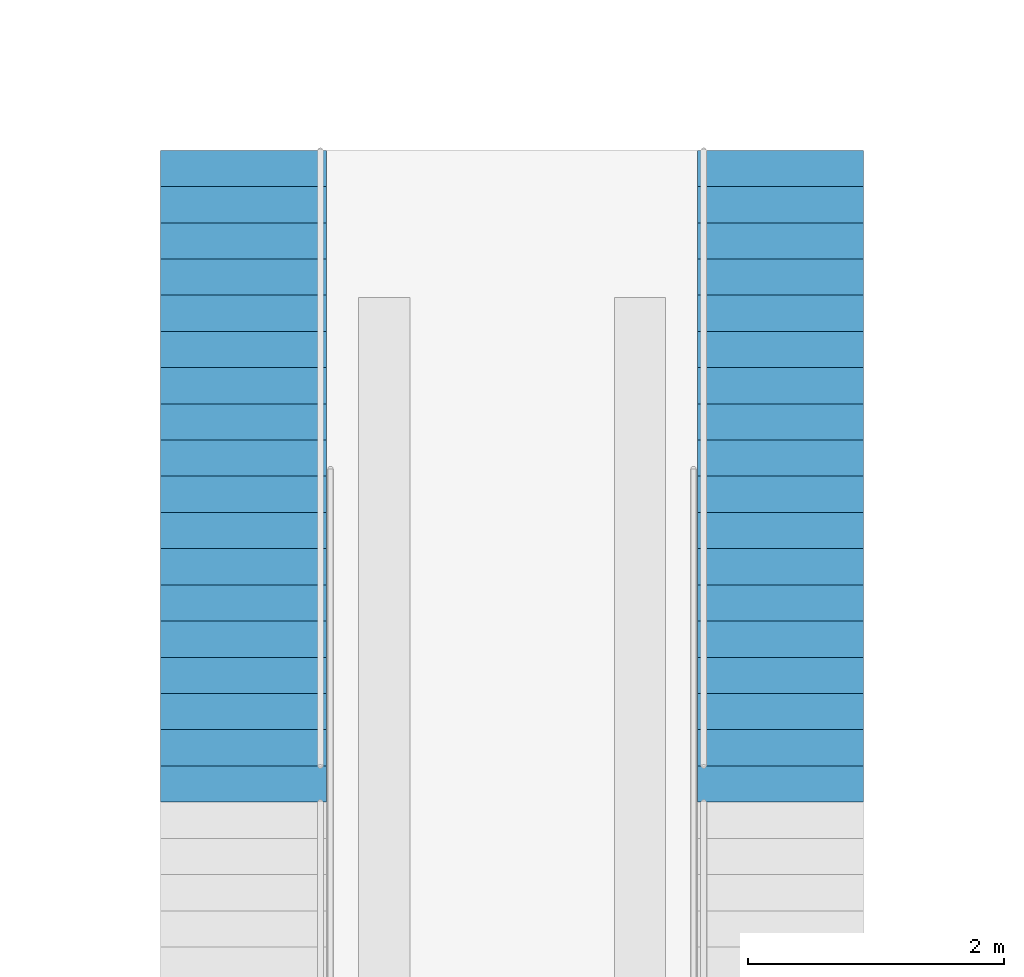
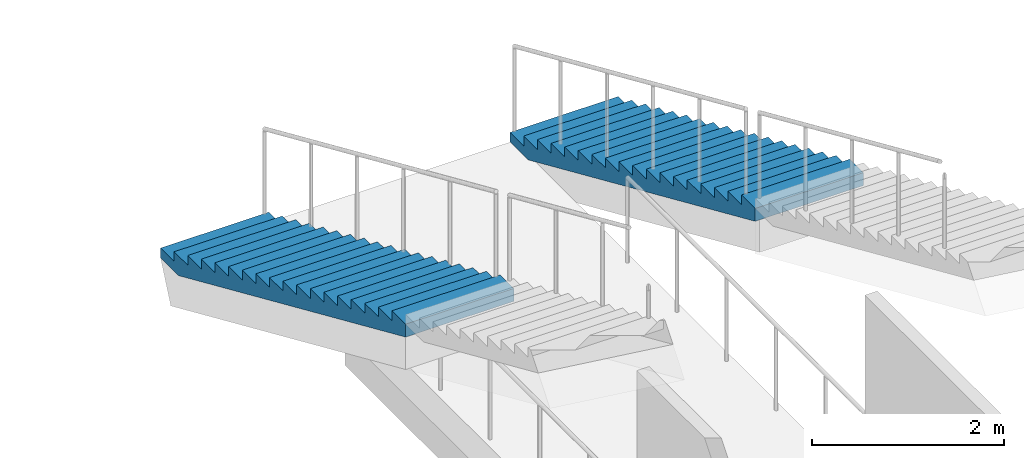
# One storey, part 74 of 175: 2 stair flights, 2 elements without a shape of their own.
"""IFC4 building model written with IfcOpenShell, lengths in metres."""

from ifc_helpers import new_model, si_unit, direction, frame, origin, place, context, subcontext, project, spatial, faceted_brep, material, type_object, element, aggregate, save


model = new_model("IFC4")

# Units and contexts
model_context = context("Model", 3, precision=1e-05, world=origin(), true_north=direction((0.0, 1.0)))
body_context = subcontext(model_context, "Body", "Model", "MODEL_VIEW")
ifc_project = project(units=[si_unit("LENGTHUNIT", "METRE"), si_unit("AREAUNIT", "SQUARE_METRE"), si_unit("VOLUMEUNIT", "CUBIC_METRE"), si_unit("PLANEANGLEUNIT", "RADIAN"), si_unit("MASSUNIT", "GRAM", prefix="KILO")], contexts=[model_context])

# Site, building, storey
site_placement = place(None, origin())
site = spatial("IfcSite", under=ifc_project, at=site_placement, CompositionType="ELEMENT")
building_placement = place(site_placement, origin())
building = spatial("IfcBuilding", under=site, at=building_placement, Name="Ogive Plaza Stadium", CompositionType="ELEMENT")
storey_placement = place(building_placement, origin())
storey = spatial("IfcBuildingStorey", under=building, at=storey_placement, Name="L00", CompositionType="ELEMENT", Elevation=0.0)

# Stair, stair flight
ifc_material_1 = material(Name="Concrete C40/50", Category="concrete")
stair_type = type_object("IfcStairType", Name="Aisle stair", PredefinedType="STRAIGHT_RUN_STAIR", material=ifc_material_1)
stair_1_placement = place(storey_placement, origin())
stair_1 = element("IfcStair", 1, at=stair_1_placement, inside=storey, type_object=stair_type, Name="Aisle stair SA13L", PredefinedType="STRAIGHT_RUN_STAIR")
ifc_material_2 = material(Name="Concrete C40/50", Category="concrete")
stair_flight_type = type_object("IfcStairFlightType", Name="Aisle stair flight", PredefinedType="STRAIGHT", material=ifc_material_2)
stair_flight_1_placement = place(storey_placement, frame((11.5, -67.64990234375, 0.0), z_axis=(0.0, 0.0, 1.0), x_axis=(0.0, -1.0, 0.0)))
stair_flight_1 = element("IfcStairFlight", 2, at=stair_flight_1_placement, type_object=stair_flight_type, Name="SA13L flight 1", NumberOfRisers=18, NumberOfTreads=17, PredefinedType="STRAIGHT", RiserHeight=0.125, TreadLength=0.283333333, context=body_context, shape_type="Brep", body=[
    faceted_brep([(0.371337890625, -0.64990234375, 0.0), (5.10009765625, -0.64990234375, 2.086181640625), (5.10009765625, -0.64990234375, 2.25), (4.816650390625, -0.64990234375, 2.25), (4.816650390625, -0.64990234375, 2.125), (4.533447265625, -0.64990234375, 2.125), (4.533447265625, -0.64990234375, 2.0), (4.25, -0.64990234375, 2.0), (4.25, -0.64990234375, 1.875), (3.966552734375, -0.64990234375, 1.875), (3.966552734375, -0.64990234375, 1.75), (3.683349609375, -0.64990234375, 1.75), (3.683349609375, -0.64990234375, 1.625), (3.39990234375, -0.64990234375, 1.625), (3.39990234375, -0.64990234375, 1.5), (3.11669921875, -0.64990234375, 1.5), (3.11669921875, -0.64990234375, 1.375), (2.833251953125, -0.64990234375, 1.375), (2.833251953125, -0.64990234375, 1.25), (2.550048828125, -0.64990234375, 1.25), (2.550048828125, -0.64990234375, 1.125), (2.2666015625, -0.64990234375, 1.125), (2.2666015625, -0.64990234375, 1.0), (1.9833984375, -0.64990234375, 1.0), (1.9833984375, -0.64990234375, 0.875), (1.699951171875, -0.64990234375, 0.875), (1.699951171875, -0.64990234375, 0.75), (1.416748046875, -0.64990234375, 0.75), (1.416748046875, -0.64990234375, 0.625), (1.13330078125, -0.64990234375, 0.625), (1.13330078125, -0.64990234375, 0.5), (0.85009765625, -0.64990234375, 0.5), (0.85009765625, -0.64990234375, 0.375), (0.566650390625, -0.64990234375, 0.375), (0.566650390625, -0.64990234375, 0.25), (0.283447265625, -0.64990234375, 0.25), (0.283447265625, -0.64990234375, 0.125), (0.0, -0.64990234375, 0.125), (0.0, -0.64990234375, 0.0), (0.0, 0.64990234375, 0.0), (0.0, 0.64990234375, 0.125), (0.283447265625, 0.64990234375, 0.125), (0.283447265625, 0.64990234375, 0.25), (0.566650390625, 0.64990234375, 0.25), (0.566650390625, 0.64990234375, 0.375), (0.85009765625, 0.64990234375, 0.375), (0.85009765625, 0.64990234375, 0.5), (1.13330078125, 0.64990234375, 0.5), (1.13330078125, 0.64990234375, 0.625), (1.416748046875, 0.64990234375, 0.625), (1.416748046875, 0.64990234375, 0.75), (1.699951171875, 0.64990234375, 0.75), (1.699951171875, 0.64990234375, 0.875), (1.9833984375, 0.64990234375, 0.875), (1.9833984375, 0.64990234375, 1.0), (2.2666015625, 0.64990234375, 1.0), (2.2666015625, 0.64990234375, 1.125), (2.550048828125, 0.64990234375, 1.125), (2.550048828125, 0.64990234375, 1.25), (2.833251953125, 0.64990234375, 1.25), (2.833251953125, 0.64990234375, 1.375), (3.11669921875, 0.64990234375, 1.375), (3.11669921875, 0.64990234375, 1.5), (3.39990234375, 0.64990234375, 1.5), (3.39990234375, 0.64990234375, 1.625), (3.683349609375, 0.64990234375, 1.625), (3.683349609375, 0.64990234375, 1.75), (3.966552734375, 0.64990234375, 1.75), (3.966552734375, 0.64990234375, 1.875), (4.25, 0.64990234375, 1.875), (4.25, 0.64990234375, 2.0), (4.533447265625, 0.64990234375, 2.0), (4.533447265625, 0.64990234375, 2.125), (4.816650390625, 0.64990234375, 2.125), (4.816650390625, 0.64990234375, 2.25), (5.10009765625, 0.64990234375, 2.25), (5.10009765625, 0.64990234375, 2.086181640625), (0.371337890625, 0.64990234375, 0.0), (0.371337890625, -0.324951171875, 0.0), (5.10009765625, -0.324951171875, 2.086181640625), (0.371337890625, 0.0, 0.0), (5.10009765625, 0.0, 2.086181640625), (0.371337890625, 0.324951171875, 0.0), (5.10009765625, 0.324951171875, 2.086181640625), (5.10009765625, -0.324951171875, 2.25), (5.10009765625, 0.0, 2.25), (5.10009765625, 0.324951171875, 2.25), (4.816650390625, -0.324951171875, 2.25), (4.816650390625, 0.0, 2.25), (4.816650390625, 0.324951171875, 2.25), (4.816650390625, -0.324951171875, 2.125), (4.816650390625, 0.0, 2.125), (4.816650390625, 0.324951171875, 2.125), (4.533447265625, -0.324951171875, 2.125), (4.533447265625, 0.0, 2.125), (4.533447265625, 0.324951171875, 2.125), (4.533447265625, -0.324951171875, 2.0), (4.533447265625, 0.0, 2.0), (4.533447265625, 0.324951171875, 2.0), (4.25, -0.324951171875, 2.0), (4.25, 0.0, 2.0), (4.25, 0.324951171875, 2.0), (4.25, -0.324951171875, 1.875), (4.25, 0.0, 1.875), (4.25, 0.324951171875, 1.875), (3.966552734375, -0.324951171875, 1.875), (3.966552734375, 0.0, 1.875), (3.966552734375, 0.324951171875, 1.875), (3.966552734375, -0.324951171875, 1.75), (3.966552734375, 0.0, 1.75), (3.966552734375, 0.324951171875, 1.75), (3.683349609375, -0.324951171875, 1.75), (3.683349609375, 0.0, 1.75), (3.683349609375, 0.324951171875, 1.75), (3.683349609375, -0.324951171875, 1.625), (3.683349609375, 0.0, 1.625), (3.683349609375, 0.324951171875, 1.625), (3.39990234375, -0.324951171875, 1.625), (3.39990234375, 0.0, 1.625), (3.39990234375, 0.324951171875, 1.625), (3.39990234375, -0.324951171875, 1.5), (3.39990234375, 0.0, 1.5), (3.39990234375, 0.324951171875, 1.5), (3.11669921875, -0.324951171875, 1.5), (3.11669921875, 0.0, 1.5), (3.11669921875, 0.324951171875, 1.5), (3.11669921875, -0.324951171875, 1.375), (3.11669921875, 0.0, 1.375), (3.11669921875, 0.324951171875, 1.375), (2.833251953125, -0.324951171875, 1.375), (2.833251953125, 0.0, 1.375), (2.833251953125, 0.324951171875, 1.375), (2.833251953125, -0.324951171875, 1.25), (2.833251953125, 0.0, 1.25), (2.833251953125, 0.324951171875, 1.25), (2.550048828125, -0.324951171875, 1.25), (2.550048828125, 0.0, 1.25), (2.550048828125, 0.324951171875, 1.25), (2.550048828125, -0.324951171875, 1.125), (2.550048828125, 0.0, 1.125), (2.550048828125, 0.324951171875, 1.125), (2.2666015625, -0.324951171875, 1.125), (2.2666015625, 0.0, 1.125), (2.2666015625, 0.324951171875, 1.125), (2.2666015625, -0.324951171875, 1.0), (2.2666015625, 0.0, 1.0), (2.2666015625, 0.324951171875, 1.0), (1.9833984375, -0.324951171875, 1.0), (1.9833984375, 0.0, 1.0), (1.9833984375, 0.324951171875, 1.0), (1.9833984375, -0.324951171875, 0.875), (1.9833984375, 0.0, 0.875), (1.9833984375, 0.324951171875, 0.875), (1.699951171875, -0.324951171875, 0.875), (1.699951171875, 0.0, 0.875), (1.699951171875, 0.324951171875, 0.875), (1.699951171875, -0.324951171875, 0.75), (1.699951171875, 0.0, 0.75), (1.699951171875, 0.324951171875, 0.75), (1.416748046875, -0.324951171875, 0.75), (1.416748046875, 0.0, 0.75), (1.416748046875, 0.324951171875, 0.75), (1.416748046875, -0.324951171875, 0.625), (1.416748046875, 0.0, 0.625), (1.416748046875, 0.324951171875, 0.625), (1.13330078125, -0.324951171875, 0.625), (1.13330078125, 0.0, 0.625), (1.13330078125, 0.324951171875, 0.625), (1.13330078125, -0.324951171875, 0.5), (1.13330078125, 0.0, 0.5), (1.13330078125, 0.324951171875, 0.5), (0.85009765625, -0.324951171875, 0.5), (0.85009765625, 0.0, 0.5), (0.85009765625, 0.324951171875, 0.5), (0.85009765625, -0.324951171875, 0.375), (0.85009765625, 0.0, 0.375), (0.85009765625, 0.324951171875, 0.375), (0.566650390625, -0.324951171875, 0.375), (0.566650390625, 0.0, 0.375), (0.566650390625, 0.324951171875, 0.375), (0.566650390625, -0.324951171875, 0.25), (0.566650390625, 0.0, 0.25), (0.566650390625, 0.324951171875, 0.25), (0.283447265625, -0.324951171875, 0.25), (0.283447265625, 0.0, 0.25), (0.283447265625, 0.324951171875, 0.25), (0.283447265625, -0.324951171875, 0.125), (0.283447265625, 0.0, 0.125), (0.283447265625, 0.324951171875, 0.125), (0.0, -0.324951171875, 0.125), (0.0, 0.0, 0.125), (0.0, 0.324951171875, 0.125), (0.0, -0.324951171875, 0.0), (0.0, 0.0, 0.0), (0.0, 0.324951171875, 0.0)], [[[0, 1, 2, 3, 4, 5, 6, 7, 8, 9, 10, 11, 12, 13, 14, 15, 16, 17, 18, 19, 20, 21, 22, 23, 24, 25, 26, 27, 28, 29, 30, 31, 32, 33, 34, 35, 36, 37, 38]], [[39, 40, 41, 42, 43, 44, 45, 46, 47, 48, 49, 50, 51, 52, 53, 54, 55, 56, 57, 58, 59, 60, 61, 62, 63, 64, 65, 66, 67, 68, 69, 70, 71, 72, 73, 74, 75, 76, 77]], [[0, 78, 79, 1]], [[78, 80, 81, 79]], [[80, 82, 83, 81]], [[82, 77, 76, 83]], [[1, 79, 84, 2]], [[79, 81, 85, 84]], [[81, 83, 86, 85]], [[83, 76, 75, 86]], [[2, 84, 87, 3]], [[84, 85, 88, 87]], [[85, 86, 89, 88]], [[86, 75, 74, 89]], [[3, 87, 90, 4]], [[87, 88, 91, 90]], [[88, 89, 92, 91]], [[89, 74, 73, 92]], [[4, 90, 93, 5]], [[90, 91, 94, 93]], [[91, 92, 95, 94]], [[92, 73, 72, 95]], [[5, 93, 96, 6]], [[93, 94, 97, 96]], [[94, 95, 98, 97]], [[95, 72, 71, 98]], [[6, 96, 99, 7]], [[96, 97, 100, 99]], [[97, 98, 101, 100]], [[98, 71, 70, 101]], [[7, 99, 102, 8]], [[99, 100, 103, 102]], [[100, 101, 104, 103]], [[101, 70, 69, 104]], [[8, 102, 105, 9]], [[102, 103, 106, 105]], [[103, 104, 107, 106]], [[104, 69, 68, 107]], [[9, 105, 108, 10]], [[105, 106, 109, 108]], [[106, 107, 110, 109]], [[107, 68, 67, 110]], [[10, 108, 111, 11]], [[108, 109, 112, 111]], [[109, 110, 113, 112]], [[110, 67, 66, 113]], [[11, 111, 114, 12]], [[111, 112, 115, 114]], [[112, 113, 116, 115]], [[113, 66, 65, 116]], [[12, 114, 117, 13]], [[114, 115, 118, 117]], [[115, 116, 119, 118]], [[116, 65, 64, 119]], [[13, 117, 120, 14]], [[117, 118, 121, 120]], [[118, 119, 122, 121]], [[119, 64, 63, 122]], [[14, 120, 123, 15]], [[120, 121, 124, 123]], [[121, 122, 125, 124]], [[122, 63, 62, 125]], [[15, 123, 126, 16]], [[123, 124, 127, 126]], [[124, 125, 128, 127]], [[125, 62, 61, 128]], [[16, 126, 129, 17]], [[126, 127, 130, 129]], [[127, 128, 131, 130]], [[128, 61, 60, 131]], [[17, 129, 132, 18]], [[129, 130, 133, 132]], [[130, 131, 134, 133]], [[131, 60, 59, 134]], [[18, 132, 135, 19]], [[132, 133, 136, 135]], [[133, 134, 137, 136]], [[134, 59, 58, 137]], [[19, 135, 138, 20]], [[135, 136, 139, 138]], [[136, 137, 140, 139]], [[137, 58, 57, 140]], [[20, 138, 141, 21]], [[138, 139, 142, 141]], [[139, 140, 143, 142]], [[140, 57, 56, 143]], [[21, 141, 144, 22]], [[141, 142, 145, 144]], [[142, 143, 146, 145]], [[143, 56, 55, 146]], [[22, 144, 147, 23]], [[144, 145, 148, 147]], [[145, 146, 149, 148]], [[146, 55, 54, 149]], [[23, 147, 150, 24]], [[147, 148, 151, 150]], [[148, 149, 152, 151]], [[149, 54, 53, 152]], [[24, 150, 153, 25]], [[150, 151, 154, 153]], [[151, 152, 155, 154]], [[152, 53, 52, 155]], [[25, 153, 156, 26]], [[153, 154, 157, 156]], [[154, 155, 158, 157]], [[155, 52, 51, 158]], [[26, 156, 159, 27]], [[156, 157, 160, 159]], [[157, 158, 161, 160]], [[158, 51, 50, 161]], [[27, 159, 162, 28]], [[159, 160, 163, 162]], [[160, 161, 164, 163]], [[161, 50, 49, 164]], [[28, 162, 165, 29]], [[162, 163, 166, 165]], [[163, 164, 167, 166]], [[164, 49, 48, 167]], [[29, 165, 168, 30]], [[165, 166, 169, 168]], [[166, 167, 170, 169]], [[167, 48, 47, 170]], [[30, 168, 171, 31]], [[168, 169, 172, 171]], [[169, 170, 173, 172]], [[170, 47, 46, 173]], [[31, 171, 174, 32]], [[171, 172, 175, 174]], [[172, 173, 176, 175]], [[173, 46, 45, 176]], [[32, 174, 177, 33]], [[174, 175, 178, 177]], [[175, 176, 179, 178]], [[176, 45, 44, 179]], [[33, 177, 180, 34]], [[177, 178, 181, 180]], [[178, 179, 182, 181]], [[179, 44, 43, 182]], [[34, 180, 183, 35]], [[180, 181, 184, 183]], [[181, 182, 185, 184]], [[182, 43, 42, 185]], [[35, 183, 186, 36]], [[183, 184, 187, 186]], [[184, 185, 188, 187]], [[185, 42, 41, 188]], [[36, 186, 189, 37]], [[186, 187, 190, 189]], [[187, 188, 191, 190]], [[188, 41, 40, 191]], [[37, 189, 192, 38]], [[189, 190, 193, 192]], [[190, 191, 194, 193]], [[191, 40, 39, 194]], [[38, 192, 78, 0]], [[192, 193, 80, 78]], [[193, 194, 82, 80]], [[194, 39, 77, 82]]]),
])
aggregate(stair_1, [stair_flight_1])

stair_2_placement = place(storey_placement, origin())
stair_2 = element("IfcStair", 3, at=stair_2_placement, inside=storey, type_object=stair_type, Name="Aisle stair SA13R", PredefinedType="STRAIGHT_RUN_STAIR")
stair_flight_2_placement = place(storey_placement, frame((15.699951171875, -67.64990234375, 0.0), z_axis=(0.0, 0.0, 1.0), x_axis=(0.0, -1.0, 0.0)))
stair_flight_2 = element("IfcStairFlight", 4, at=stair_flight_2_placement, type_object=stair_flight_type, Name="SA13R flight 1", NumberOfRisers=18, NumberOfTreads=17, PredefinedType="STRAIGHT", RiserHeight=0.125, TreadLength=0.283333333, context=body_context, shape_type="Brep", body=[
    faceted_brep([(0.371337890625, -0.64990234375, 0.0), (5.10009765625, -0.64990234375, 2.086181640625), (5.10009765625, -0.64990234375, 2.25), (4.816650390625, -0.64990234375, 2.25), (4.816650390625, -0.64990234375, 2.125), (4.533447265625, -0.64990234375, 2.125), (4.533447265625, -0.64990234375, 2.0), (4.25, -0.64990234375, 2.0), (4.25, -0.64990234375, 1.875), (3.966552734375, -0.64990234375, 1.875), (3.966552734375, -0.64990234375, 1.75), (3.683349609375, -0.64990234375, 1.75), (3.683349609375, -0.64990234375, 1.625), (3.39990234375, -0.64990234375, 1.625), (3.39990234375, -0.64990234375, 1.5), (3.11669921875, -0.64990234375, 1.5), (3.11669921875, -0.64990234375, 1.375), (2.833251953125, -0.64990234375, 1.375), (2.833251953125, -0.64990234375, 1.25), (2.550048828125, -0.64990234375, 1.25), (2.550048828125, -0.64990234375, 1.125), (2.2666015625, -0.64990234375, 1.125), (2.2666015625, -0.64990234375, 1.0), (1.9833984375, -0.64990234375, 1.0), (1.9833984375, -0.64990234375, 0.875), (1.699951171875, -0.64990234375, 0.875), (1.699951171875, -0.64990234375, 0.75), (1.416748046875, -0.64990234375, 0.75), (1.416748046875, -0.64990234375, 0.625), (1.13330078125, -0.64990234375, 0.625), (1.13330078125, -0.64990234375, 0.5), (0.85009765625, -0.64990234375, 0.5), (0.85009765625, -0.64990234375, 0.375), (0.566650390625, -0.64990234375, 0.375), (0.566650390625, -0.64990234375, 0.25), (0.283447265625, -0.64990234375, 0.25), (0.283447265625, -0.64990234375, 0.125), (0.0, -0.64990234375, 0.125), (0.0, -0.64990234375, 0.0), (0.0, 0.64990234375, 0.0), (0.0, 0.64990234375, 0.125), (0.283447265625, 0.64990234375, 0.125), (0.283447265625, 0.64990234375, 0.25), (0.566650390625, 0.64990234375, 0.25), (0.566650390625, 0.64990234375, 0.375), (0.85009765625, 0.64990234375, 0.375), (0.85009765625, 0.64990234375, 0.5), (1.13330078125, 0.64990234375, 0.5), (1.13330078125, 0.64990234375, 0.625), (1.416748046875, 0.64990234375, 0.625), (1.416748046875, 0.64990234375, 0.75), (1.699951171875, 0.64990234375, 0.75), (1.699951171875, 0.64990234375, 0.875), (1.9833984375, 0.64990234375, 0.875), (1.9833984375, 0.64990234375, 1.0), (2.2666015625, 0.64990234375, 1.0), (2.2666015625, 0.64990234375, 1.125), (2.550048828125, 0.64990234375, 1.125), (2.550048828125, 0.64990234375, 1.25), (2.833251953125, 0.64990234375, 1.25), (2.833251953125, 0.64990234375, 1.375), (3.11669921875, 0.64990234375, 1.375), (3.11669921875, 0.64990234375, 1.5), (3.39990234375, 0.64990234375, 1.5), (3.39990234375, 0.64990234375, 1.625), (3.683349609375, 0.64990234375, 1.625), (3.683349609375, 0.64990234375, 1.75), (3.966552734375, 0.64990234375, 1.75), (3.966552734375, 0.64990234375, 1.875), (4.25, 0.64990234375, 1.875), (4.25, 0.64990234375, 2.0), (4.533447265625, 0.64990234375, 2.0), (4.533447265625, 0.64990234375, 2.125), (4.816650390625, 0.64990234375, 2.125), (4.816650390625, 0.64990234375, 2.25), (5.10009765625, 0.64990234375, 2.25), (5.10009765625, 0.64990234375, 2.086181640625), (0.371337890625, 0.64990234375, 0.0), (0.371337890625, -0.324951171875, 0.0), (5.10009765625, -0.324951171875, 2.086181640625), (0.371337890625, 0.0, 0.0), (5.10009765625, 0.0, 2.086181640625), (0.371337890625, 0.324951171875, 0.0), (5.10009765625, 0.324951171875, 2.086181640625), (5.10009765625, -0.324951171875, 2.25), (5.10009765625, 0.0, 2.25), (5.10009765625, 0.324951171875, 2.25), (4.816650390625, -0.324951171875, 2.25), (4.816650390625, 0.0, 2.25), (4.816650390625, 0.324951171875, 2.25), (4.816650390625, -0.324951171875, 2.125), (4.816650390625, 0.0, 2.125), (4.816650390625, 0.324951171875, 2.125), (4.533447265625, -0.324951171875, 2.125), (4.533447265625, 0.0, 2.125), (4.533447265625, 0.324951171875, 2.125), (4.533447265625, -0.324951171875, 2.0), (4.533447265625, 0.0, 2.0), (4.533447265625, 0.324951171875, 2.0), (4.25, -0.324951171875, 2.0), (4.25, 0.0, 2.0), (4.25, 0.324951171875, 2.0), (4.25, -0.324951171875, 1.875), (4.25, 0.0, 1.875), (4.25, 0.324951171875, 1.875), (3.966552734375, -0.324951171875, 1.875), (3.966552734375, 0.0, 1.875), (3.966552734375, 0.324951171875, 1.875), (3.966552734375, -0.324951171875, 1.75), (3.966552734375, 0.0, 1.75), (3.966552734375, 0.324951171875, 1.75), (3.683349609375, -0.324951171875, 1.75), (3.683349609375, 0.0, 1.75), (3.683349609375, 0.324951171875, 1.75), (3.683349609375, -0.324951171875, 1.625), (3.683349609375, 0.0, 1.625), (3.683349609375, 0.324951171875, 1.625), (3.39990234375, -0.324951171875, 1.625), (3.39990234375, 0.0, 1.625), (3.39990234375, 0.324951171875, 1.625), (3.39990234375, -0.324951171875, 1.5), (3.39990234375, 0.0, 1.5), (3.39990234375, 0.324951171875, 1.5), (3.11669921875, -0.324951171875, 1.5), (3.11669921875, 0.0, 1.5), (3.11669921875, 0.324951171875, 1.5), (3.11669921875, -0.324951171875, 1.375), (3.11669921875, 0.0, 1.375), (3.11669921875, 0.324951171875, 1.375), (2.833251953125, -0.324951171875, 1.375), (2.833251953125, 0.0, 1.375), (2.833251953125, 0.324951171875, 1.375), (2.833251953125, -0.324951171875, 1.25), (2.833251953125, 0.0, 1.25), (2.833251953125, 0.324951171875, 1.25), (2.550048828125, -0.324951171875, 1.25), (2.550048828125, 0.0, 1.25), (2.550048828125, 0.324951171875, 1.25), (2.550048828125, -0.324951171875, 1.125), (2.550048828125, 0.0, 1.125), (2.550048828125, 0.324951171875, 1.125), (2.2666015625, -0.324951171875, 1.125), (2.2666015625, 0.0, 1.125), (2.2666015625, 0.324951171875, 1.125), (2.2666015625, -0.324951171875, 1.0), (2.2666015625, 0.0, 1.0), (2.2666015625, 0.324951171875, 1.0), (1.9833984375, -0.324951171875, 1.0), (1.9833984375, 0.0, 1.0), (1.9833984375, 0.324951171875, 1.0), (1.9833984375, -0.324951171875, 0.875), (1.9833984375, 0.0, 0.875), (1.9833984375, 0.324951171875, 0.875), (1.699951171875, -0.324951171875, 0.875), (1.699951171875, 0.0, 0.875), (1.699951171875, 0.324951171875, 0.875), (1.699951171875, -0.324951171875, 0.75), (1.699951171875, 0.0, 0.75), (1.699951171875, 0.324951171875, 0.75), (1.416748046875, -0.324951171875, 0.75), (1.416748046875, 0.0, 0.75), (1.416748046875, 0.324951171875, 0.75), (1.416748046875, -0.324951171875, 0.625), (1.416748046875, 0.0, 0.625), (1.416748046875, 0.324951171875, 0.625), (1.13330078125, -0.324951171875, 0.625), (1.13330078125, 0.0, 0.625), (1.13330078125, 0.324951171875, 0.625), (1.13330078125, -0.324951171875, 0.5), (1.13330078125, 0.0, 0.5), (1.13330078125, 0.324951171875, 0.5), (0.85009765625, -0.324951171875, 0.5), (0.85009765625, 0.0, 0.5), (0.85009765625, 0.324951171875, 0.5), (0.85009765625, -0.324951171875, 0.375), (0.85009765625, 0.0, 0.375), (0.85009765625, 0.324951171875, 0.375), (0.566650390625, -0.324951171875, 0.375), (0.566650390625, 0.0, 0.375), (0.566650390625, 0.324951171875, 0.375), (0.566650390625, -0.324951171875, 0.25), (0.566650390625, 0.0, 0.25), (0.566650390625, 0.324951171875, 0.25), (0.283447265625, -0.324951171875, 0.25), (0.283447265625, 0.0, 0.25), (0.283447265625, 0.324951171875, 0.25), (0.283447265625, -0.324951171875, 0.125), (0.283447265625, 0.0, 0.125), (0.283447265625, 0.324951171875, 0.125), (0.0, -0.324951171875, 0.125), (0.0, 0.0, 0.125), (0.0, 0.324951171875, 0.125), (0.0, -0.324951171875, 0.0), (0.0, 0.0, 0.0), (0.0, 0.324951171875, 0.0)], [[[0, 1, 2, 3, 4, 5, 6, 7, 8, 9, 10, 11, 12, 13, 14, 15, 16, 17, 18, 19, 20, 21, 22, 23, 24, 25, 26, 27, 28, 29, 30, 31, 32, 33, 34, 35, 36, 37, 38]], [[39, 40, 41, 42, 43, 44, 45, 46, 47, 48, 49, 50, 51, 52, 53, 54, 55, 56, 57, 58, 59, 60, 61, 62, 63, 64, 65, 66, 67, 68, 69, 70, 71, 72, 73, 74, 75, 76, 77]], [[0, 78, 79, 1]], [[78, 80, 81, 79]], [[80, 82, 83, 81]], [[82, 77, 76, 83]], [[1, 79, 84, 2]], [[79, 81, 85, 84]], [[81, 83, 86, 85]], [[83, 76, 75, 86]], [[2, 84, 87, 3]], [[84, 85, 88, 87]], [[85, 86, 89, 88]], [[86, 75, 74, 89]], [[3, 87, 90, 4]], [[87, 88, 91, 90]], [[88, 89, 92, 91]], [[89, 74, 73, 92]], [[4, 90, 93, 5]], [[90, 91, 94, 93]], [[91, 92, 95, 94]], [[92, 73, 72, 95]], [[5, 93, 96, 6]], [[93, 94, 97, 96]], [[94, 95, 98, 97]], [[95, 72, 71, 98]], [[6, 96, 99, 7]], [[96, 97, 100, 99]], [[97, 98, 101, 100]], [[98, 71, 70, 101]], [[7, 99, 102, 8]], [[99, 100, 103, 102]], [[100, 101, 104, 103]], [[101, 70, 69, 104]], [[8, 102, 105, 9]], [[102, 103, 106, 105]], [[103, 104, 107, 106]], [[104, 69, 68, 107]], [[9, 105, 108, 10]], [[105, 106, 109, 108]], [[106, 107, 110, 109]], [[107, 68, 67, 110]], [[10, 108, 111, 11]], [[108, 109, 112, 111]], [[109, 110, 113, 112]], [[110, 67, 66, 113]], [[11, 111, 114, 12]], [[111, 112, 115, 114]], [[112, 113, 116, 115]], [[113, 66, 65, 116]], [[12, 114, 117, 13]], [[114, 115, 118, 117]], [[115, 116, 119, 118]], [[116, 65, 64, 119]], [[13, 117, 120, 14]], [[117, 118, 121, 120]], [[118, 119, 122, 121]], [[119, 64, 63, 122]], [[14, 120, 123, 15]], [[120, 121, 124, 123]], [[121, 122, 125, 124]], [[122, 63, 62, 125]], [[15, 123, 126, 16]], [[123, 124, 127, 126]], [[124, 125, 128, 127]], [[125, 62, 61, 128]], [[16, 126, 129, 17]], [[126, 127, 130, 129]], [[127, 128, 131, 130]], [[128, 61, 60, 131]], [[17, 129, 132, 18]], [[129, 130, 133, 132]], [[130, 131, 134, 133]], [[131, 60, 59, 134]], [[18, 132, 135, 19]], [[132, 133, 136, 135]], [[133, 134, 137, 136]], [[134, 59, 58, 137]], [[19, 135, 138, 20]], [[135, 136, 139, 138]], [[136, 137, 140, 139]], [[137, 58, 57, 140]], [[20, 138, 141, 21]], [[138, 139, 142, 141]], [[139, 140, 143, 142]], [[140, 57, 56, 143]], [[21, 141, 144, 22]], [[141, 142, 145, 144]], [[142, 143, 146, 145]], [[143, 56, 55, 146]], [[22, 144, 147, 23]], [[144, 145, 148, 147]], [[145, 146, 149, 148]], [[146, 55, 54, 149]], [[23, 147, 150, 24]], [[147, 148, 151, 150]], [[148, 149, 152, 151]], [[149, 54, 53, 152]], [[24, 150, 153, 25]], [[150, 151, 154, 153]], [[151, 152, 155, 154]], [[152, 53, 52, 155]], [[25, 153, 156, 26]], [[153, 154, 157, 156]], [[154, 155, 158, 157]], [[155, 52, 51, 158]], [[26, 156, 159, 27]], [[156, 157, 160, 159]], [[157, 158, 161, 160]], [[158, 51, 50, 161]], [[27, 159, 162, 28]], [[159, 160, 163, 162]], [[160, 161, 164, 163]], [[161, 50, 49, 164]], [[28, 162, 165, 29]], [[162, 163, 166, 165]], [[163, 164, 167, 166]], [[164, 49, 48, 167]], [[29, 165, 168, 30]], [[165, 166, 169, 168]], [[166, 167, 170, 169]], [[167, 48, 47, 170]], [[30, 168, 171, 31]], [[168, 169, 172, 171]], [[169, 170, 173, 172]], [[170, 47, 46, 173]], [[31, 171, 174, 32]], [[171, 172, 175, 174]], [[172, 173, 176, 175]], [[173, 46, 45, 176]], [[32, 174, 177, 33]], [[174, 175, 178, 177]], [[175, 176, 179, 178]], [[176, 45, 44, 179]], [[33, 177, 180, 34]], [[177, 178, 181, 180]], [[178, 179, 182, 181]], [[179, 44, 43, 182]], [[34, 180, 183, 35]], [[180, 181, 184, 183]], [[181, 182, 185, 184]], [[182, 43, 42, 185]], [[35, 183, 186, 36]], [[183, 184, 187, 186]], [[184, 185, 188, 187]], [[185, 42, 41, 188]], [[36, 186, 189, 37]], [[186, 187, 190, 189]], [[187, 188, 191, 190]], [[188, 41, 40, 191]], [[37, 189, 192, 38]], [[189, 190, 193, 192]], [[190, 191, 194, 193]], [[191, 40, 39, 194]], [[38, 192, 78, 0]], [[192, 193, 80, 78]], [[193, 194, 82, 80]], [[194, 39, 77, 82]]]),
])
aggregate(stair_2, [stair_flight_2])

save(model, "model.ifc")
